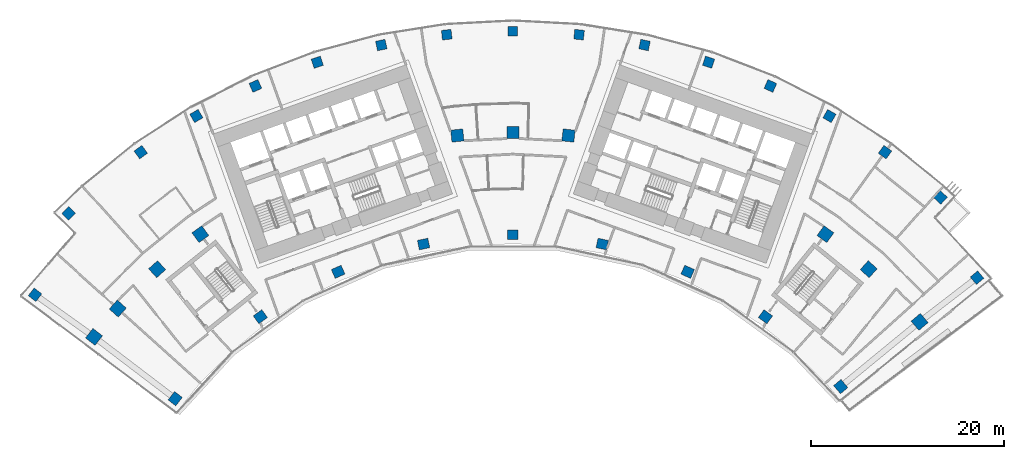
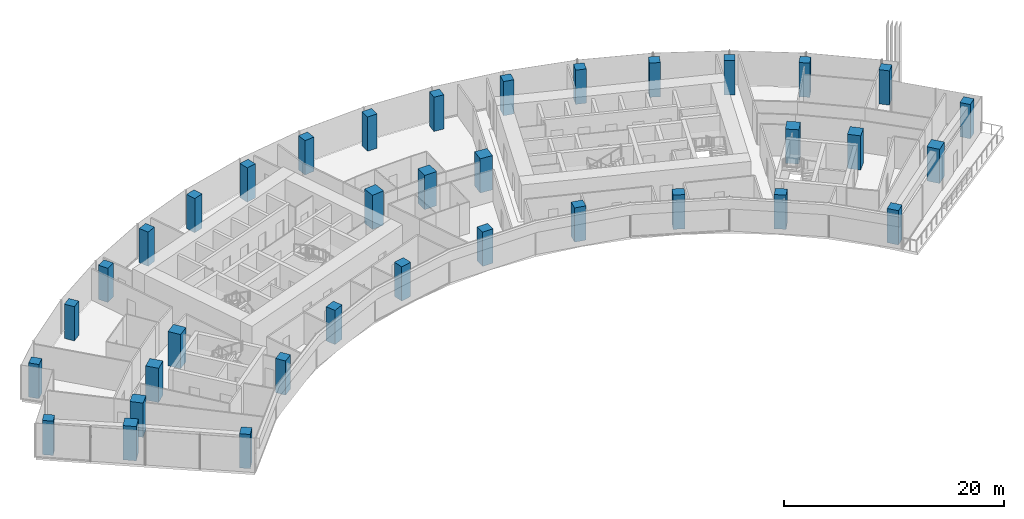
# One storey, part 1 of 21: 36 columns.
"""IFC4 building model written with IfcOpenShell, lengths in metres."""

from ifc_helpers import new_model, si_unit, direction, frame, origin, origin_2d, place, context, subcontext, project, spatial, rectangle, extrude, material, material_profile, profile_set, type_object, element, save


model = new_model("IFC4")

# Units and contexts
model_context = context("Model", 3, precision=1e-05, world=origin(), true_north=direction((0.0, 1.0)))
body_context = subcontext(model_context, "Body", "Model", "MODEL_VIEW")
ifc_project = project(units=[si_unit("LENGTHUNIT", "METRE"), si_unit("AREAUNIT", "SQUARE_METRE"), si_unit("VOLUMEUNIT", "CUBIC_METRE"), si_unit("PLANEANGLEUNIT", "RADIAN"), si_unit("MASSUNIT", "GRAM", prefix="KILO")], contexts=[model_context])

# Site, building, storey
site_placement = place(None, origin())
site = spatial("IfcSite", under=ifc_project, at=site_placement, CompositionType="ELEMENT")
building_placement = place(site_placement, origin())
building = spatial("IfcBuilding", under=site, at=building_placement, Name="Stone Belt Terrace Tower", CompositionType="ELEMENT")
storey_placement = place(building_placement, frame((0.0, 0.0, 159.199951171875)))
storey = spatial("IfcBuildingStorey", under=building, at=storey_placement, Name="L38", CompositionType="ELEMENT", Elevation=159.199951171875)

# Columns
ifc_material = material(Name="Concrete B80", Category="concrete")
ifc_material_profile_1 = material_profile(ifc_material, rectangle(XDim=1.0, YDim=1.0, at=origin_2d()), Name="RC 1000x1000")
ifc_profile_set_1 = profile_set([ifc_material_profile_1], Name="Concrete B80")
column_type_1 = type_object("IfcColumnType", Name="Column RC 1000x1000 B80", PredefinedType="COLUMN", material=ifc_profile_set_1)
for number, where, z_axis, x_axis, name in (
    (1, (-49.432861328125, 38.226318359375, 0.0), (0.0, 0.0, 1.0), (0.611730019057, 0.791066611472, 0.0), "Column L38 RA"),
    (2, (48.010498046875, 39.998291015625, 0.0), (0.0, 0.0, 1.0), (0.64008556283, -0.768303632854, 0.0), "Column L38 RB"),
    (3, (-45.95849609375, 46.654296875, 0.0), (0.0, 0.0, 1.0), (0.712398494182, 0.701775167334, 0.0), "Column L38 RNA"),
    (4, (-38.493408203125, 52.981689453125, 0.0), (0.0, 0.0, 1.0), (0.809016994375, 0.587785252292, 0.0), "Column L38 R16"),
    (5, (-32.744384765625, 56.715087890625, 0.0), (0.0, 0.0, 1.0), (0.866025403784, 0.5, 0.0), "Column L38 R17"),
    (6, (-26.63671875, 59.8271484375, 0.0), (0.0, 0.0, 1.0), (0.913545457643, 0.406736643076, 0.0), "Column L38 R18"),
    (7, (-20.2373046875, 62.28369140625, 0.0), (0.0, 0.0, 1.0), (0.951056516295, 0.309016994375, 0.0), "Column L38 R19"),
    (8, (-13.615966796875, 64.057861328125, 0.0), (0.0, 0.0, 1.0), (0.978147600734, 0.207911690818, 0.0), "Column L38 R20"),
    (9, (-6.845458984375, 65.130126953125, 0.0), (0.0, 0.0, 1.0), (0.994521895368, 0.104528463268, 0.0), "Column L38 R21"),
    (10, (0.0, 65.489013671875, 0.0), (0.0, 0.0, 1.0), (1.0, 0.0, 0.0), "Column L38 R22"),
    (11, (6.845458984375, 65.130126953125, 0.0), (0.0, 0.0, 1.0), (0.994521895368, -0.104528463268, 0.0), "Column L38 R23"),
    (12, (13.615966796875, 64.057861328125, 0.0), (0.0, 0.0, 1.0), (0.978147600734, -0.207911690818, 0.0), "Column L38 R24"),
    (13, (20.2373046875, 62.28369140625, 0.0), (0.0, 0.0, 1.0), (0.951056516295, -0.309016994375, 0.0), "Column L38 R25"),
    (14, (26.63671875, 59.8271484375, 0.0), (0.0, 0.0, 1.0), (0.913545457643, -0.406736643076, 0.0), "Column L38 R26"),
    (15, (32.744384765625, 56.715087890625, 0.0), (0.0, 0.0, 1.0), (0.866025403784, -0.5, 0.0), "Column L38 R27"),
    (16, (38.493408203125, 52.981689453125, 0.0), (0.0, 0.0, 1.0), (0.809016994375, -0.587785252292, 0.0), "Column L38 R28"),
    (17, (44.23193359375, 48.294189453125, 0.0), (0.0, 0.0, 1.0), (0.737441213814, -0.67541132369, 0.0), "Column L38 RNB"),
):
    element("IfcColumn", number, at=place(storey_placement, frame(where, z_axis=z_axis, x_axis=x_axis)), inside=storey, type_object=column_type_1, Name=name, PredefinedType="COLUMN", context=body_context, shape_type="SweptSolid", body=[
        extrude(rectangle(XDim=1.0, YDim=1.0, at=origin_2d()), origin(), (0.0, 0.0, 1.0), 3.800048828125),
    ])
ifc_material_profile_2 = material_profile(ifc_material, rectangle(XDim=1.10009765625, YDim=1.0, at=origin_2d()), Name="RC 1100x1000")
ifc_profile_set_2 = profile_set([ifc_material_profile_2], Name="Concrete B80")
column_type_2 = type_object("IfcColumnType", Name="Column RC 1100x1000 B80", PredefinedType="COLUMN", material=ifc_profile_set_2)
for number, where, z_axis, x_axis, name in (
    (18, (-34.93408203125, 27.476806640625, 0.0), (0.0, 0.0, 1.0), (0.618217727677, 0.786006896399, 0.0), "Column L38 PA"),
    (19, (-26.1240234375, 35.956787109375, 0.0), (0.0, 0.0, 1.0), (0.809016994375, 0.587785252292, 0.0), "Column L38 P16"),
    (20, (-18.077392578125, 40.6025390625, 0.0), (0.0, 0.0, 1.0), (0.913545457643, 0.406736643076, 0.0), "Column L38 P18"),
    (21, (-9.240478515625, 43.473876953125, 0.0), (0.0, 0.0, 1.0), (0.978147600734, 0.207911690818, 0.0), "Column L38 P20"),
    (22, (0.0, 44.445068359375, 0.0), (0.0, 0.0, 1.0), (1.0, 0.0, 0.0), "Column L38 P22"),
    (23, (9.240478515625, 43.473876953125, 0.0), (0.0, 0.0, 1.0), (0.978147600734, -0.207911690818, 0.0), "Column L38 P24"),
    (24, (18.077392578125, 40.6025390625, 0.0), (0.0, 0.0, 1.0), (0.913545457643, -0.406736643076, 0.0), "Column L38 P26"),
    (25, (26.1240234375, 35.956787109375, 0.0), (0.0, 0.0, 1.0), (0.809016994375, -0.587785252292, 0.0), "Column L38 P28"),
    (26, (33.912109375, 28.728515625, 0.0), (0.0, 0.0, 1.0), (0.646385031856, -0.763011396109, 0.0), "Column L38 PB"),
):
    element("IfcColumn", number, at=place(storey_placement, frame(where, z_axis=z_axis, x_axis=x_axis)), inside=storey, type_object=column_type_2, Name=name, PredefinedType="COLUMN", context=body_context, shape_type="SweptSolid", body=[
        extrude(rectangle(XDim=1.10009765625, YDim=1.0, at=origin_2d()), origin(), (0.0, 0.0, 1.0), 3.800048828125),
    ])
ifc_material_profile_3 = material_profile(ifc_material, rectangle(XDim=1.25, YDim=1.25, at=origin_2d()), Name="RC 1250x1250")
ifc_profile_set_3 = profile_set([ifc_material_profile_3], Name="Concrete B80")
column_type_3 = type_object("IfcColumnType", Name="Column RC 1250x1250 B80", PredefinedType="COLUMN", material=ifc_profile_set_3)
for number, where, z_axis, x_axis, name in (
    (27, (-43.33349609375, 33.870361328125, 0.0), (0.0, 0.0, 1.0), (0.615825127294, 0.787882867306, 0.0), "Column L38 QA"),
    (28, (-40.873046875, 36.80224609375, 0.0), (0.0, 0.0, 1.0), (0.669130606359, 0.743144825477, 0.0), "Column L38 Q14"),
    (29, (-36.80224609375, 40.873046875, 0.0), (0.0, 0.0, 1.0), (0.743144825477, 0.669130606359, 0.0), "Column L38 Q15"),
    (30, (-32.328125, 44.495849609375, 0.0), (0.0, 0.0, 1.0), (0.809016994375, 0.587785252292, 0.0), "Column L38 Q16"),
    (31, (-5.7490234375, 54.69873046875, 0.0), (0.0, 0.0, 1.0), (0.994521895368, 0.104528463268, 0.0), "Column L38 Q21"),
    (32, (0.0, 55.0, 0.0), (0.0, 0.0, 1.0), (1.0, 0.0, 0.0), "Column L38 Q22"),
    (33, (5.7490234375, 54.69873046875, 0.0), (0.0, 0.0, 1.0), (0.994521895368, -0.104528463268, 0.0), "Column L38 Q23"),
    (34, (32.328125, 44.495849609375, 0.0), (0.0, 0.0, 1.0), (0.809016994375, -0.587785252292, 0.0), "Column L38 Q28"),
    (35, (36.80224609375, 40.873046875, 0.0), (0.0, 0.0, 1.0), (0.743144825477, -0.669130606359, 0.0), "Column L38 Q29"),
    (36, (42.073486328125, 35.42333984375, 0.0), (0.0, 0.0, 1.0), (0.644062215859, -0.764973112013, 0.0), "Column L38 QB"),
):
    element("IfcColumn", number, at=place(storey_placement, frame(where, z_axis=z_axis, x_axis=x_axis)), inside=storey, type_object=column_type_3, Name=name, PredefinedType="COLUMN", context=body_context, shape_type="SweptSolid", body=[
        extrude(rectangle(XDim=1.25, YDim=1.25, at=origin_2d()), origin(), (0.0, 0.0, 1.0), 3.800048828125),
    ])

save(model, "model.ifc")
